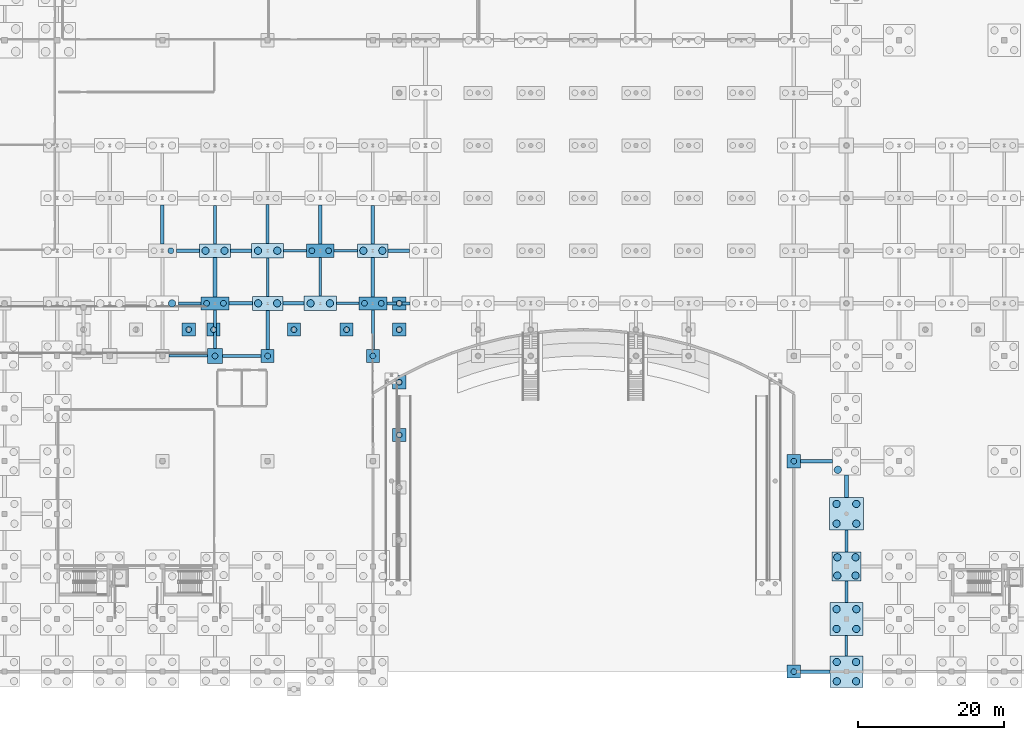
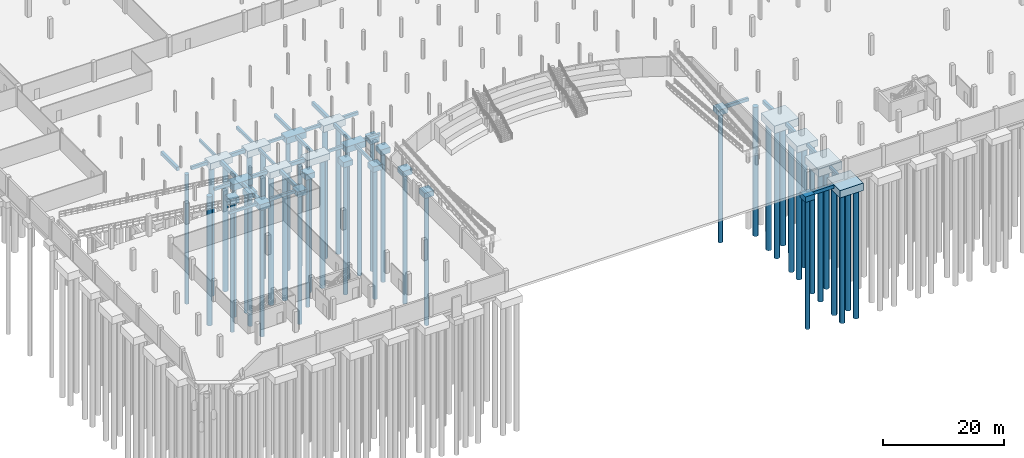
# One storey, part 4 of 56: 55 footings, 48 piles.
"""IFC4 building model written with IfcOpenShell, lengths in metres."""

from ifc_helpers import new_model, si_unit, direction, frame, origin, origin_2d, place, context, subcontext, project, spatial, rectangle, circle, extrude, material, material_profile, profile_set, type_object, element, save


model = new_model("IFC4")

# Units and contexts
model_context = context("Model", 3, precision=1e-05, world=origin(), true_north=direction((0.0, 1.0)))
body_context = subcontext(model_context, "Body", "Model", "MODEL_VIEW")
ifc_project = project(units=[si_unit("LENGTHUNIT", "METRE"), si_unit("AREAUNIT", "SQUARE_METRE"), si_unit("VOLUMEUNIT", "CUBIC_METRE"), si_unit("PLANEANGLEUNIT", "RADIAN"), si_unit("MASSUNIT", "GRAM", prefix="KILO")], contexts=[model_context])

# Site, building, storey
site_placement = place(None, origin())
site = spatial("IfcSite", under=ifc_project, at=site_placement, CompositionType="ELEMENT")
building_placement = place(site_placement, origin())
building = spatial("IfcBuilding", under=site, at=building_placement, Name="Suanplinth Sawtooth Commons", CompositionType="ELEMENT")
storey_placement = place(building_placement, frame((0.0, 0.0, -4.199951171875)))
storey = spatial("IfcBuildingStorey", under=building, at=storey_placement, Name="B1", CompositionType="ELEMENT", Elevation=-4.199951171875)

# Footings
ifc_material_1 = material(Name="Concrete C35/45", Category="concrete")
ifc_material_profile_1 = material_profile(ifc_material_1, rectangle(XDim=0.449951171875, YDim=0.64990234375, at=origin_2d()), Name="PC-GDR 450x650")
ifc_profile_set_1 = profile_set([ifc_material_profile_1], Name="Concrete C35/45")
footing_type_1 = type_object("IfcFootingType", Name="FB-01", PredefinedType="FOOTING_BEAM", material=ifc_profile_set_1)
footing_1_placement = place(storey_placement, frame((30.699951171875, 57.60009765625, -0.824951171875), z_axis=(1.0, 0.0, 0.0), x_axis=(0.0, 1.0, 0.0)))
element("IfcFooting", 1, at=footing_1_placement, inside=storey, type_object=footing_type_1, Name="Foundation Tie Beam 5-6/J", PredefinedType="FOOTING_BEAM", context=body_context, shape_type="SweptSolid", body=[
    extrude(rectangle(XDim=0.449951171875, YDim=0.64990234375, at=origin_2d()), origin(), (0.0, 0.0, 1.0), 3.199951171875),
])
footing_2_placement = place(storey_placement, frame((36.0, 44.199951171875, -0.824951171875), z_axis=(0.0, 1.0, 0.0), x_axis=(-1.0, 0.0, 0.0)))
element("IfcFooting", 2, at=footing_2_placement, inside=storey, type_object=footing_type_1, Name="Foundation Tie Beam 6/G-H", PredefinedType="FOOTING_BEAM", context=body_context, shape_type="SweptSolid", body=[
    extrude(rectangle(XDim=0.449951171875, YDim=0.64990234375, at=origin_2d()), origin(), (0.0, 0.0, 1.0), 5.300048828125),
])
footing_3_placement = place(storey_placement, frame((37.89990234375, 50.39990234375, -0.824951171875), z_axis=(1.0, 0.0, 0.0), x_axis=(0.0, 1.0, 0.0)))
element("IfcFooting", 3, at=footing_3_placement, inside=storey, type_object=footing_type_1, Name="Foundation Tie Beam 6-7/H", PredefinedType="FOOTING_BEAM", context=body_context, shape_type="SweptSolid", body=[
    extrude(rectangle(XDim=0.449951171875, YDim=0.64990234375, at=origin_2d()), origin(), (0.0, 0.0, 1.0), 3.2001953125),
])
footing_4_placement = place(storey_placement, frame((50.39990234375, 58.5, -0.824951171875), z_axis=(0.0, 1.0, 0.0), x_axis=(-1.0, 0.0, 0.0)))
element("IfcFooting", 4, at=footing_4_placement, inside=storey, type_object=footing_type_1, Name="Foundation Tie Beam 8/J-K", PredefinedType="FOOTING_BEAM", context=body_context, shape_type="SweptSolid", body=[
    extrude(rectangle(XDim=0.449951171875, YDim=0.64990234375, at=origin_2d()), origin(), (0.0, 0.0, 1.0), 5.35009765625),
])
footing_5_placement = place(storey_placement, frame((57.60009765625, 51.300048828125, -0.824951171875), z_axis=(0.0, 1.0, 0.0), x_axis=(-1.0, 0.0, 0.0)))
element("IfcFooting", 5, at=footing_5_placement, inside=storey, type_object=footing_type_1, Name="Foundation Tie Beam 9/H-J", PredefinedType="FOOTING_BEAM", context=body_context, shape_type="SweptSolid", body=[
    extrude(rectangle(XDim=0.449951171875, YDim=0.64990234375, at=origin_2d()), origin(), (0.0, 0.0, 1.0), 5.349853515625),
])
footing_6_placement = place(storey_placement, frame((59.699951171875, 57.60009765625, -0.824951171875), z_axis=(1.0, 0.0, 0.0), x_axis=(0.0, 1.0, 0.0)))
element("IfcFooting", 6, at=footing_6_placement, inside=storey, type_object=footing_type_1, Name="Foundation Tie Beam 9-10/J", PredefinedType="FOOTING_BEAM", context=body_context, shape_type="SweptSolid", body=[
    extrude(rectangle(XDim=0.449951171875, YDim=0.64990234375, at=origin_2d()), origin(), (0.0, 0.0, 1.0), 2.900146484375),
])
footing_7_placement = place(storey_placement, frame((116.10009765625, 0.0, -0.824951171875), z_axis=(1.0, 0.0, 0.0), x_axis=(0.0, 1.0, 0.0)))
element("IfcFooting", 7, at=footing_7_placement, inside=storey, type_object=footing_type_1, Name="Foundation Tie Beam 17-18/A", PredefinedType="FOOTING_BEAM", context=body_context, shape_type="SweptSolid", body=[
    extrude(rectangle(XDim=0.449951171875, YDim=0.64990234375, at=origin_2d()), origin(), (0.0, 0.0, 1.0), 4.0498046875),
])
footing_8_placement = place(storey_placement, frame((116.10009765625, 28.800048828125, -0.824951171875), z_axis=(1.0, 0.0, 0.0), x_axis=(0.0, 1.0, 0.0)))
element("IfcFooting", 8, at=footing_8_placement, inside=storey, type_object=footing_type_1, Name="Foundation Tie Beam 17-18/E", PredefinedType="FOOTING_BEAM", context=body_context, shape_type="SweptSolid", body=[
    extrude(rectangle(XDim=0.449951171875, YDim=0.64990234375, at=origin_2d()), origin(), (0.0, 0.0, 1.0), 4.39990234375),
])
footing_9_placement = place(storey_placement, frame((122.39990234375, 16.375, -0.824951171875), z_axis=(0.0, 1.0, 0.0), x_axis=(-1.0, 0.0, 0.0)))
element("IfcFooting", 9, at=footing_9_placement, inside=storey, type_object=footing_type_1, Name="Foundation Tie Beam 18/C-D", PredefinedType="FOOTING_BEAM", context=body_context, shape_type="SweptSolid", body=[
    extrude(rectangle(XDim=0.449951171875, YDim=0.64990234375, at=origin_2d()), origin(), (0.0, 0.0, 1.0), 3.0),
])
ifc_material_profile_2 = material_profile(ifc_material_1, rectangle(XDim=0.5, YDim=0.75, at=origin_2d()), Name="RC-GDR 500x750")
ifc_profile_set_2 = profile_set([ifc_material_profile_2], Name="Concrete C35/45")
footing_type_2 = type_object("IfcFootingType", Name="FB-02", PredefinedType="FOOTING_BEAM", material=ifc_profile_set_2)
footing_10_placement = place(storey_placement, frame((28.800048828125, 58.5, -0.875), z_axis=(0.0, 1.0, 0.0), x_axis=(-1.0, 0.0, 0.0)))
element("IfcFooting", 10, at=footing_10_placement, inside=storey, type_object=footing_type_2, Name="Foundation Tie Beam 5/J-K", PredefinedType="FOOTING_BEAM", context=body_context, shape_type="SweptSolid", body=[
    extrude(rectangle(XDim=0.5, YDim=0.75, at=origin_2d()), origin(), (0.0, 0.0, 1.0), 5.35009765625),
])
footing_11_placement = place(storey_placement, frame((36.0, 51.300048828125, -0.875), z_axis=(0.0, 1.0, 0.0), x_axis=(-1.0, 0.0, 0.0)))
element("IfcFooting", 11, at=footing_11_placement, inside=storey, type_object=footing_type_2, Name="Foundation Tie Beam 6/H-J", PredefinedType="FOOTING_BEAM", context=body_context, shape_type="SweptSolid", body=[
    extrude(rectangle(XDim=0.5, YDim=0.75, at=origin_2d()), origin(), (0.0, 0.0, 1.0), 5.349853515625),
])
footing_12_placement = place(storey_placement, frame((38.10009765625, 57.60009765625, -0.875), z_axis=(1.0, 0.0, 0.0), x_axis=(0.0, 1.0, 0.0)))
element("IfcFooting", 12, at=footing_12_placement, inside=storey, type_object=footing_type_2, Name="Foundation Tie Beam 6-7/J", PredefinedType="FOOTING_BEAM", context=body_context, shape_type="SweptSolid", body=[
    extrude(rectangle(XDim=0.5, YDim=0.75, at=origin_2d()), origin(), (0.0, 0.0, 1.0), 2.89990234375),
])
footing_13_placement = place(storey_placement, frame((43.199951171875, 44.10009765625, -0.875), z_axis=(0.0, 1.0, 0.0), x_axis=(-1.0, 0.0, 0.0)))
element("IfcFooting", 13, at=footing_13_placement, inside=storey, type_object=footing_type_2, Name="Foundation Tie Beam 7/G-H", PredefinedType="FOOTING_BEAM", context=body_context, shape_type="SweptSolid", body=[
    extrude(rectangle(XDim=0.5, YDim=0.75, at=origin_2d()), origin(), (0.0, 0.0, 1.0), 5.349853515625),
])
footing_14_placement = place(storey_placement, frame((45.300048828125, 50.39990234375, -0.875), z_axis=(1.0, 0.0, 0.0), x_axis=(0.0, 1.0, 0.0)))
element("IfcFooting", 14, at=footing_14_placement, inside=storey, type_object=footing_type_2, Name="Foundation Tie Beam 7-8/H", PredefinedType="FOOTING_BEAM", context=body_context, shape_type="SweptSolid", body=[
    extrude(rectangle(XDim=0.5, YDim=0.75, at=origin_2d()), origin(), (0.0, 0.0, 1.0), 2.89990234375),
])
footing_15_placement = place(storey_placement, frame((57.60009765625, 58.550048828125, -0.875), z_axis=(0.0, 1.0, 0.0), x_axis=(-1.0, 0.0, 0.0)))
element("IfcFooting", 15, at=footing_15_placement, inside=storey, type_object=footing_type_2, Name="Foundation Tie Beam 9/J-K", PredefinedType="FOOTING_BEAM", context=body_context, shape_type="SweptSolid", body=[
    extrude(rectangle(XDim=0.5, YDim=0.75, at=origin_2d()), origin(), (0.0, 0.0, 1.0), 5.25),
])
footing_16_placement = place(storey_placement, frame((122.39990234375, 23.824951171875, -0.875), z_axis=(0.0, 1.0, 0.0), x_axis=(-1.0, 0.0, 0.0)))
element("IfcFooting", 16, at=footing_16_placement, inside=storey, type_object=footing_type_2, Name="Foundation Tie Beam 18/D-E", PredefinedType="FOOTING_BEAM", context=body_context, shape_type="SweptSolid", body=[
    extrude(rectangle(XDim=0.5, YDim=0.75, at=origin_2d()), origin(), (0.0, 0.0, 1.0), 3.074951171875),
])
ifc_material_profile_3 = material_profile(ifc_material_1, rectangle(XDim=0.35009765625, YDim=0.550048828125, at=origin_2d()), Name="PC-BM 350x550")
ifc_profile_set_3 = profile_set([ifc_material_profile_3], Name="Concrete C35/45")
footing_type_3 = type_object("IfcFootingType", Name="FB-03", PredefinedType="FOOTING_BEAM", material=ifc_profile_set_3)
footing_17_placement = place(storey_placement, frame((29.699951171875, 43.199951171875, -0.775146484375), z_axis=(1.0, 0.0, 0.0), x_axis=(0.0, 1.0, 0.0)))
element("IfcFooting", 17, at=footing_17_placement, inside=storey, type_object=footing_type_3, Name="Foundation Tie Beam 5-6/G", PredefinedType="FOOTING_BEAM", context=body_context, shape_type="SweptSolid", body=[
    extrude(rectangle(XDim=0.35009765625, YDim=0.550048828125, at=origin_2d()), origin(), (0.0, 0.0, 1.0), 5.300048828125),
])
for number, where, z_axis, x_axis, name in (
    (18, (36.0, 58.550048828125, -0.775146484375), (0.0, 1.0, 0.0), (-1.0, 0.0, 0.0), "Foundation Tie Beam 6/J-K"),
    (19, (43.199951171875, 51.35009765625, -0.775146484375), (0.0, 1.0, 0.0), (-1.0, 0.0, 0.0), "Foundation Tie Beam 7/H-J"),
):
    element("IfcFooting", number, at=place(storey_placement, frame(where, z_axis=z_axis, x_axis=x_axis)), inside=storey, type_object=footing_type_3, Name=name, PredefinedType="FOOTING_BEAM", context=body_context, shape_type="SweptSolid", body=[
        extrude(rectangle(XDim=0.35009765625, YDim=0.550048828125, at=origin_2d()), origin(), (0.0, 0.0, 1.0), 5.25),
    ])
footing_18_placement = place(storey_placement, frame((45.39990234375, 57.60009765625, -0.775146484375), z_axis=(1.0, 0.0, 0.0), x_axis=(0.0, 1.0, 0.0)))
element("IfcFooting", 20, at=footing_18_placement, inside=storey, type_object=footing_type_3, Name="Foundation Tie Beam 7-8/J", PredefinedType="FOOTING_BEAM", context=body_context, shape_type="SweptSolid", body=[
    extrude(rectangle(XDim=0.35009765625, YDim=0.550048828125, at=origin_2d()), origin(), (0.0, 0.0, 1.0), 3.10009765625),
])
footing_19_placement = place(storey_placement, frame((52.60009765625, 50.39990234375, -0.775146484375), z_axis=(1.0, 0.0, 0.0), x_axis=(0.0, 1.0, 0.0)))
element("IfcFooting", 21, at=footing_19_placement, inside=storey, type_object=footing_type_3, Name="Foundation Tie Beam 8-9/H", PredefinedType="FOOTING_BEAM", context=body_context, shape_type="SweptSolid", body=[
    extrude(rectangle(XDim=0.35009765625, YDim=0.550048828125, at=origin_2d()), origin(), (0.0, 0.0, 1.0), 3.099853515625),
])
footing_20_placement = place(storey_placement, frame((122.39990234375, 2.14990234375, -0.775146484375), z_axis=(0.0, 1.0, 0.0), x_axis=(-1.0, 0.0, 0.0)))
element("IfcFooting", 22, at=footing_20_placement, inside=storey, type_object=footing_type_3, Name="Foundation Tie Beam 18/A-B", PredefinedType="FOOTING_BEAM", context=body_context, shape_type="SweptSolid", body=[
    extrude(rectangle(XDim=0.35009765625, YDim=0.550048828125, at=origin_2d()), origin(), (0.0, 0.0, 1.0), 2.800048828125),
])
ifc_material_profile_4 = material_profile(ifc_material_1, rectangle(XDim=0.39990234375, YDim=0.60009765625, at=origin_2d()), Name="PC-GDR 400x600")
ifc_profile_set_4 = profile_set([ifc_material_profile_4], Name="Concrete C35/45")
footing_type_4 = type_object("IfcFootingType", Name="FB-04", PredefinedType="FOOTING_BEAM", material=ifc_profile_set_4)
footing_21_placement = place(storey_placement, frame((31.0, 50.39990234375, -0.800048828125), z_axis=(1.0, 0.0, 0.0), x_axis=(0.0, 1.0, 0.0)))
element("IfcFooting", 23, at=footing_21_placement, inside=storey, type_object=footing_type_4, Name="Foundation Tie Beam 5-6/H", PredefinedType="FOOTING_BEAM", context=body_context, shape_type="SweptSolid", body=[
    extrude(rectangle(XDim=0.39990234375, YDim=0.60009765625, at=origin_2d()), origin(), (0.0, 0.0, 1.0), 3.10009765625),
])
footing_22_placement = place(storey_placement, frame((37.0, 43.199951171875, -0.800048828125), z_axis=(1.0, 0.0, 0.0), x_axis=(0.0, 1.0, 0.0)))
element("IfcFooting", 24, at=footing_22_placement, inside=storey, type_object=footing_type_4, Name="Foundation Tie Beam 6-7/G", PredefinedType="FOOTING_BEAM", context=body_context, shape_type="SweptSolid", body=[
    extrude(rectangle(XDim=0.39990234375, YDim=0.60009765625, at=origin_2d()), origin(), (0.0, 0.0, 1.0), 5.300048828125),
])
footing_23_placement = place(storey_placement, frame((43.199951171875, 58.60009765625, -0.800048828125), z_axis=(0.0, 1.0, 0.0), x_axis=(-1.0, 0.0, 0.0)))
element("IfcFooting", 25, at=footing_23_placement, inside=storey, type_object=footing_type_4, Name="Foundation Tie Beam 7/J-K", PredefinedType="FOOTING_BEAM", context=body_context, shape_type="SweptSolid", body=[
    extrude(rectangle(XDim=0.39990234375, YDim=0.60009765625, at=origin_2d()), origin(), (0.0, 0.0, 1.0), 5.2998046875),
])
footing_24_placement = place(storey_placement, frame((50.39990234375, 51.39990234375, -0.800048828125), z_axis=(0.0, 1.0, 0.0), x_axis=(-1.0, 0.0, 0.0)))
element("IfcFooting", 26, at=footing_24_placement, inside=storey, type_object=footing_type_4, Name="Foundation Tie Beam 8/H-J", PredefinedType="FOOTING_BEAM", context=body_context, shape_type="SweptSolid", body=[
    extrude(rectangle(XDim=0.39990234375, YDim=0.60009765625, at=origin_2d()), origin(), (0.0, 0.0, 1.0), 5.300048828125),
])
footing_25_placement = place(storey_placement, frame((52.300048828125, 57.60009765625, -0.800048828125), z_axis=(1.0, 0.0, 0.0), x_axis=(0.0, 1.0, 0.0)))
element("IfcFooting", 27, at=footing_25_placement, inside=storey, type_object=footing_type_4, Name="Foundation Tie Beam 8-9/J", PredefinedType="FOOTING_BEAM", context=body_context, shape_type="SweptSolid", body=[
    extrude(rectangle(XDim=0.39990234375, YDim=0.60009765625, at=origin_2d()), origin(), (0.0, 0.0, 1.0), 3.199951171875),
])
footing_26_placement = place(storey_placement, frame((57.60009765625, 44.10009765625, -0.800048828125), z_axis=(0.0, 1.0, 0.0), x_axis=(-1.0, 0.0, 0.0)))
element("IfcFooting", 28, at=footing_26_placement, inside=storey, type_object=footing_type_4, Name="Foundation Tie Beam 9/G-H", PredefinedType="FOOTING_BEAM", context=body_context, shape_type="SweptSolid", body=[
    extrude(rectangle(XDim=0.39990234375, YDim=0.60009765625, at=origin_2d()), origin(), (0.0, 0.0, 1.0), 5.39990234375),
])
footing_27_placement = place(storey_placement, frame((59.5, 50.39990234375, -0.800048828125), z_axis=(1.0, 0.0, 0.0), x_axis=(0.0, 1.0, 0.0)))
element("IfcFooting", 29, at=footing_27_placement, inside=storey, type_object=footing_type_4, Name="Foundation Tie Beam 9-10/H", PredefinedType="FOOTING_BEAM", context=body_context, shape_type="SweptSolid", body=[
    extrude(rectangle(XDim=0.39990234375, YDim=0.60009765625, at=origin_2d()), origin(), (0.0, 0.0, 1.0), 3.199951171875),
])
footing_28_placement = place(storey_placement, frame((122.39990234375, 9.449951171875, -0.800048828125), z_axis=(0.0, 1.0, 0.0), x_axis=(-1.0, 0.0, 0.0)))
element("IfcFooting", 30, at=footing_28_placement, inside=storey, type_object=footing_type_4, Name="Foundation Tie Beam 18/B-C", PredefinedType="FOOTING_BEAM", context=body_context, shape_type="SweptSolid", body=[
    extrude(rectangle(XDim=0.39990234375, YDim=0.60009765625, at=origin_2d()), origin(), (0.0, 0.0, 1.0), 2.97509765625),
])
footing_type_5 = type_object("IfcFootingType", Name="FC-01", PredefinedType="PILE_CAP", material=ifc_material_1)
for number, where, z_axis, x_axis, name in (
    (31, (43.199951171875, 43.199951171875, -1.60009765625), (0.0, 0.0, 1.0), (1.0, 0.0, 0.0), "Pile Cap 7/G"),
    (32, (57.60009765625, 43.199951171875, -1.60009765625), (0.0, 0.0, 1.0), (1.0, 0.0, 0.0), "Pile Cap 9/G"),
    (33, (115.199951171875, 0.0, -1.60009765625), (0.0, 0.0, 1.0), (1.0, 0.0, 0.0), "Pile Cap 17/A"),
    (34, (115.199951171875, 28.800048828125, -1.60009765625), (0.0, 0.0, 1.0), (1.0, 0.0, 0.0), "Pile Cap 17/E"),
    (35, (32.39990234375, 46.800048828125, -1.60009765625), (0.0, 0.0, 1.0), (1.0, 0.0, 0.0), "Veranda Pilaster Cap P3"),
    (36, (35.800048828125, 46.800048828125, -1.60009765625), (0.0, 0.0, 1.0), (1.0, 0.0, 0.0), "Veranda Pilaster Cap P4"),
    (37, (46.800048828125, 46.800048828125, -1.60009765625), (0.0, 0.0, 1.0), (1.0, 0.0, 0.0), "Veranda Pilaster Cap P5"),
    (38, (54.0, 46.800048828125, -1.60009765625), (0.0, 0.0, 1.0), (1.0, 0.0, 0.0), "Veranda Pilaster Cap P6"),
    (39, (61.199951171875, 32.39990234375, -1.60009765625), (0.0, 0.0, 1.0), (1.0, 0.0, 0.0), "West Breezeway Cap W3"),
    (40, (61.199951171875, 39.60009765625, -1.60009765625), (0.0, 0.0, 1.0), (1.0, 0.0, 0.0), "West Breezeway Cap W4"),
    (41, (61.199951171875, 46.800048828125, -1.60009765625), (0.0, 0.0, 1.0), (1.0, 0.0, 0.0), "West Breezeway Cap W5"),
    (42, (61.199951171875, 50.39990234375, -1.60009765625), (0.0, 0.0, 1.0), (1.0, 0.0, 0.0), "West Breezeway Cap W6"),
):
    element("IfcFooting", number, at=place(storey_placement, frame(where, z_axis=z_axis, x_axis=x_axis)), inside=storey, type_object=footing_type_5, Name=name, PredefinedType="PILE_CAP", context=body_context, shape_type="SweptSolid", body=[
        extrude(rectangle(XDim=1.800048828125, YDim=1.800048828125, at=origin_2d()), origin(), (0.0, 0.0, 1.0), 1.10009765625),
    ])
footing_type_6 = type_object("IfcFootingType", Name="FC-02", PredefinedType="PILE_CAP", material=ifc_material_1)
footing_29_placement = place(storey_placement, frame((36.0, 43.199951171875, -1.7001953125), z_axis=(0.0, 0.0, 1.0), x_axis=(1.0, 0.0, 0.0)))
element("IfcFooting", 43, at=footing_29_placement, inside=storey, type_object=footing_type_6, Name="Pile Cap 6/G", PredefinedType="PILE_CAP", context=body_context, shape_type="SweptSolid", body=[
    extrude(rectangle(XDim=2.0, YDim=2.0, at=origin_2d()), origin(), (0.0, 0.0, 1.0), 1.199951171875),
])
footing_type_7 = type_object("IfcFootingType", Name="FC-03", PredefinedType="PILE_CAP", material=ifc_material_1)
for number, where, z_axis, x_axis, name in (
    (44, (36.0, 50.39990234375, -1.75), (0.0, 0.0, 1.0), (1.0, 0.0, 0.0), "Pile Cap 6/H"),
    (45, (50.39990234375, 57.60009765625, -1.75), (0.0, 0.0, 1.0), (1.0, 0.0, 0.0), "Pile Cap 8/J"),
    (46, (57.60009765625, 50.39990234375, -1.75), (0.0, 0.0, 1.0), (1.0, 0.0, 0.0), "Pile Cap 9/H"),
):
    element("IfcFooting", number, at=place(storey_placement, frame(where, z_axis=z_axis, x_axis=x_axis)), inside=storey, type_object=footing_type_7, Name=name, PredefinedType="PILE_CAP", context=body_context, shape_type="SweptSolid", body=[
        extrude(rectangle(XDim=3.800048828125, YDim=1.800048828125, at=origin_2d()), origin(), (0.0, 0.0, 1.0), 1.25),
    ])
footing_type_8 = type_object("IfcFootingType", Name="FC-04", PredefinedType="PILE_CAP", material=ifc_material_1)
for number, where, z_axis, x_axis, name in (
    (47, (36.0, 57.60009765625, -1.80029296875), (0.0, 0.0, 1.0), (1.0, 0.0, 0.0), "Pile Cap 6/J"),
    (48, (43.199951171875, 50.39990234375, -1.80029296875), (0.0, 0.0, 1.0), (1.0, 0.0, 0.0), "Pile Cap 7/H"),
    (49, (57.60009765625, 57.60009765625, -1.80029296875), (0.0, 0.0, 1.0), (1.0, 0.0, 0.0), "Pile Cap 9/J"),
):
    element("IfcFooting", number, at=place(storey_placement, frame(where, z_axis=z_axis, x_axis=x_axis)), inside=storey, type_object=footing_type_8, Name=name, PredefinedType="PILE_CAP", context=body_context, shape_type="SweptSolid", body=[
        extrude(rectangle(XDim=4.199951171875, YDim=1.89990234375, at=origin_2d()), origin(), (0.0, 0.0, 1.0), 1.300048828125),
    ])
footing_type_9 = type_object("IfcFootingType", Name="FC-05", PredefinedType="PILE_CAP", material=ifc_material_1)
for number, where, z_axis, x_axis, name in (
    (50, (43.199951171875, 57.60009765625, -1.85009765625), (0.0, 0.0, 1.0), (1.0, 0.0, 0.0), "Pile Cap 7/J"),
    (51, (50.39990234375, 50.39990234375, -1.85009765625), (0.0, 0.0, 1.0), (1.0, 0.0, 0.0), "Pile Cap 8/H"),
):
    element("IfcFooting", number, at=place(storey_placement, frame(where, z_axis=z_axis, x_axis=x_axis)), inside=storey, type_object=footing_type_9, Name=name, PredefinedType="PILE_CAP", context=body_context, shape_type="SweptSolid", body=[
        extrude(rectangle(XDim=4.39990234375, YDim=2.0, at=origin_2d()), origin(), (0.0, 0.0, 1.0), 1.35009765625),
    ])
footing_type_10 = type_object("IfcFootingType", Name="FC-09", PredefinedType="PILE_CAP", material=ifc_material_1)
footing_30_placement = place(storey_placement, frame((122.39990234375, 0.0, -2.0), z_axis=(0.0, 0.0, 1.0), x_axis=(1.0, 0.0, 0.0)))
element("IfcFooting", 52, at=footing_30_placement, inside=storey, type_object=footing_type_10, Name="Pile Cap 18/A", PredefinedType="PILE_CAP", context=body_context, shape_type="SweptSolid", body=[
    extrude(rectangle(XDim=4.5, YDim=4.300048828125, at=origin_2d()), origin(), (0.0, 0.0, 1.0), 1.5),
])
footing_type_11 = type_object("IfcFootingType", Name="FC-10", PredefinedType="PILE_CAP", material=ifc_material_1)
footing_31_placement = place(storey_placement, frame((122.39990234375, 7.199951171875, -2.05029296875), z_axis=(0.0, 0.0, 1.0), x_axis=(1.0, 0.0, 0.0)))
element("IfcFooting", 53, at=footing_31_placement, inside=storey, type_object=footing_type_11, Name="Pile Cap 18/B", PredefinedType="PILE_CAP", context=body_context, shape_type="SweptSolid", body=[
    extrude(rectangle(XDim=4.5, YDim=4.5, at=origin_2d()), origin(), (0.0, 0.0, 1.0), 1.550048828125),
])
footing_type_12 = type_object("IfcFootingType", Name="FC-15", PredefinedType="PILE_CAP", material=ifc_material_1)
footing_32_placement = place(storey_placement, frame((122.39990234375, 14.39990234375, -1.8203125), z_axis=(0.0, 0.0, 1.0), x_axis=(1.0, 0.0, 0.0)))
element("IfcFooting", 54, at=footing_32_placement, inside=storey, type_object=footing_type_12, Name="Pile Cap 18/C", PredefinedType="PILE_CAP", context=body_context, shape_type="SweptSolid", body=[
    extrude(rectangle(XDim=3.949951171875, YDim=3.949951171875, at=origin_2d()), origin(), (0.0, 0.0, 1.0), 1.320068359375),
])
footing_type_13 = type_object("IfcFootingType", Name="FC-16", PredefinedType="PILE_CAP", material=ifc_material_1)
footing_33_placement = place(storey_placement, frame((122.39990234375, 21.60009765625, -2.02001953125), z_axis=(0.0, 0.0, 1.0), x_axis=(1.0, 0.0, 0.0)))
element("IfcFooting", 55, at=footing_33_placement, inside=storey, type_object=footing_type_13, Name="Pile Cap 18/D", PredefinedType="PILE_CAP", context=body_context, shape_type="SweptSolid", body=[
    extrude(rectangle(XDim=4.64990234375, YDim=4.449951171875, at=origin_2d()), origin(), (0.0, 0.0, 1.0), 1.52001953125),
])

# Piles
ifc_material_2 = material(Name="Concrete C32/40", Category="concrete")
ifc_material_profile_5 = material_profile(ifc_material_2, circle(Radius=0.39990234375, at=origin_2d()), Name="PILE D800")
ifc_profile_set_5 = profile_set([ifc_material_profile_5], Name="Concrete C32/40")
pile_type_1 = type_object("IfcPileType", Name="P-01", PredefinedType="BORED", material=ifc_profile_set_5)
pile_1_placement = place(storey_placement, frame((29.949951171875, 57.60009765625, -1.650146484375), z_axis=(0.0, 0.0, -1.0), x_axis=(1.0, 0.0, 0.0)))
element("IfcPile", 56, at=pile_1_placement, inside=storey, type_object=pile_type_1, Name="Bored Pile 5/J-2", PredefinedType="BORED", context=body_context, shape_type="SweptSolid", body=[
    extrude(circle(Radius=0.39990234375, at=origin_2d()), origin(), (0.0, 0.0, 1.0), 26.14990234375),
])
pile_2_placement = place(storey_placement, frame((36.0, 43.199951171875, -1.60009765625), z_axis=(0.0, 0.0, -1.0), x_axis=(1.0, 0.0, 0.0)))
element("IfcPile", 57, at=pile_2_placement, inside=storey, type_object=pile_type_1, Name="Bored Pile 6/G-1", PredefinedType="BORED", context=body_context, shape_type="SweptSolid", body=[
    extrude(circle(Radius=0.39990234375, at=origin_2d()), origin(), (0.0, 0.0, 1.0), 26.199951171875),
])
for number, where, z_axis, x_axis, name in (
    (58, (34.85009765625, 50.39990234375, -1.650146484375), (0.0, 0.0, -1.0), (1.0, 0.0, 0.0), "Bored Pile 6/H-1"),
    (59, (37.14990234375, 50.39990234375, -1.650146484375), (0.0, 0.0, -1.0), (1.0, 0.0, 0.0), "Bored Pile 6/H-2"),
):
    element("IfcPile", number, at=place(storey_placement, frame(where, z_axis=z_axis, x_axis=x_axis)), inside=storey, type_object=pile_type_1, Name=name, PredefinedType="BORED", context=body_context, shape_type="SweptSolid", body=[
        extrude(circle(Radius=0.39990234375, at=origin_2d()), origin(), (0.0, 0.0, 1.0), 26.14990234375),
    ])
pile_3_placement = place(storey_placement, frame((43.199951171875, 43.199951171875, -1.5), z_axis=(0.0, 0.0, -1.0), x_axis=(1.0, 0.0, 0.0)))
element("IfcPile", 60, at=pile_3_placement, inside=storey, type_object=pile_type_1, Name="Bored Pile 7/G-1", PredefinedType="BORED", context=body_context, shape_type="SweptSolid", body=[
    extrude(circle(Radius=0.39990234375, at=origin_2d()), origin(), (0.0, 0.0, 1.0), 26.300048828125),
])
for number, where, z_axis, x_axis, name in (
    (61, (49.25, 57.60009765625, -1.650146484375), (0.0, 0.0, -1.0), (1.0, 0.0, 0.0), "Bored Pile 8/J-1"),
    (62, (51.550048828125, 57.60009765625, -1.650146484375), (0.0, 0.0, -1.0), (1.0, 0.0, 0.0), "Bored Pile 8/J-2"),
):
    element("IfcPile", number, at=place(storey_placement, frame(where, z_axis=z_axis, x_axis=x_axis)), inside=storey, type_object=pile_type_1, Name=name, PredefinedType="BORED", context=body_context, shape_type="SweptSolid", body=[
        extrude(circle(Radius=0.39990234375, at=origin_2d()), origin(), (0.0, 0.0, 1.0), 26.14990234375),
    ])
pile_4_placement = place(storey_placement, frame((57.60009765625, 43.199951171875, -1.5), z_axis=(0.0, 0.0, -1.0), x_axis=(1.0, 0.0, 0.0)))
element("IfcPile", 63, at=pile_4_placement, inside=storey, type_object=pile_type_1, Name="Bored Pile 9/G-1", PredefinedType="BORED", context=body_context, shape_type="SweptSolid", body=[
    extrude(circle(Radius=0.39990234375, at=origin_2d()), origin(), (0.0, 0.0, 1.0), 26.300048828125),
])
for number, where, z_axis, x_axis, name in (
    (64, (56.449951171875, 50.39990234375, -1.650146484375), (0.0, 0.0, -1.0), (1.0, 0.0, 0.0), "Bored Pile 9/H-1"),
    (65, (58.75, 50.39990234375, -1.650146484375), (0.0, 0.0, -1.0), (1.0, 0.0, 0.0), "Bored Pile 9/H-2"),
):
    element("IfcPile", number, at=place(storey_placement, frame(where, z_axis=z_axis, x_axis=x_axis)), inside=storey, type_object=pile_type_1, Name=name, PredefinedType="BORED", context=body_context, shape_type="SweptSolid", body=[
        extrude(circle(Radius=0.39990234375, at=origin_2d()), origin(), (0.0, 0.0, 1.0), 26.14990234375),
    ])
for number, where, z_axis, x_axis, name in (
    (66, (115.199951171875, 0.0, -1.5), (0.0, 0.0, -1.0), (1.0, 0.0, 0.0), "Bored Pile 17/A-1"),
    (67, (115.199951171875, 28.800048828125, -1.5), (0.0, 0.0, -1.0), (1.0, 0.0, 0.0), "Bored Pile 17/E-1"),
    (68, (32.39990234375, 46.800048828125, -1.5), (0.0, 0.0, -1.0), (1.0, 0.0, 0.0), "Veranda Pilaster Pile P3"),
    (69, (35.800048828125, 46.800048828125, -1.5), (0.0, 0.0, -1.0), (1.0, 0.0, 0.0), "Veranda Pilaster Pile P4"),
    (70, (46.800048828125, 46.800048828125, -1.5), (0.0, 0.0, -1.0), (1.0, 0.0, 0.0), "Veranda Pilaster Pile P5"),
    (71, (54.0, 46.800048828125, -1.5), (0.0, 0.0, -1.0), (1.0, 0.0, 0.0), "Veranda Pilaster Pile P6"),
    (72, (61.199951171875, 32.39990234375, -1.5), (0.0, 0.0, -1.0), (1.0, 0.0, 0.0), "West Breezeway Pile W3"),
    (73, (61.199951171875, 39.60009765625, -1.5), (0.0, 0.0, -1.0), (1.0, 0.0, 0.0), "West Breezeway Pile W4"),
    (74, (61.199951171875, 46.800048828125, -1.5), (0.0, 0.0, -1.0), (1.0, 0.0, 0.0), "West Breezeway Pile W5"),
    (75, (61.199951171875, 50.39990234375, -1.5), (0.0, 0.0, -1.0), (1.0, 0.0, 0.0), "West Breezeway Pile W6"),
):
    element("IfcPile", number, at=place(storey_placement, frame(where, z_axis=z_axis, x_axis=x_axis)), inside=storey, type_object=pile_type_1, Name=name, PredefinedType="BORED", context=body_context, shape_type="SweptSolid", body=[
        extrude(circle(Radius=0.39990234375, at=origin_2d()), origin(), (0.0, 0.0, 1.0), 26.300048828125),
    ])
ifc_material_profile_6 = material_profile(ifc_material_2, circle(Radius=0.5, at=origin_2d()), Name="PILE D1000")
ifc_profile_set_6 = profile_set([ifc_material_profile_6], Name="Concrete C32/40")
pile_type_2 = type_object("IfcPileType", Name="P-02", PredefinedType="BORED", material=ifc_profile_set_6)
pile_5_placement = place(storey_placement, frame((30.1201171875, 50.39990234375, -1.75), z_axis=(0.0, 0.0, -1.0), x_axis=(1.0, 0.0, 0.0)))
element("IfcPile", 76, at=pile_5_placement, inside=storey, type_object=pile_type_2, Name="Bored Pile 5/H-2", PredefinedType="BORED", context=body_context, shape_type="SweptSolid", body=[
    extrude(circle(Radius=0.5, at=origin_2d()), origin(), (0.0, 0.0, 1.0), 26.050048828125),
])
for number, where, z_axis, x_axis, name in (
    (77, (34.699951171875, 57.60009765625, -1.699951171875), (0.0, 0.0, -1.0), (1.0, 0.0, 0.0), "Bored Pile 6/J-1"),
    (78, (37.300048828125, 57.60009765625, -1.699951171875), (0.0, 0.0, -1.0), (1.0, 0.0, 0.0), "Bored Pile 6/J-2"),
    (79, (41.89990234375, 50.39990234375, -1.699951171875), (0.0, 0.0, -1.0), (1.0, 0.0, 0.0), "Bored Pile 7/H-1"),
    (80, (44.5, 50.39990234375, -1.699951171875), (0.0, 0.0, -1.0), (1.0, 0.0, 0.0), "Bored Pile 7/H-2"),
):
    element("IfcPile", number, at=place(storey_placement, frame(where, z_axis=z_axis, x_axis=x_axis)), inside=storey, type_object=pile_type_2, Name=name, PredefinedType="BORED", context=body_context, shape_type="SweptSolid", body=[
        extrude(circle(Radius=0.5, at=origin_2d()), origin(), (0.0, 0.0, 1.0), 26.10009765625),
    ])
for number, where, z_axis, x_axis, name in (
    (81, (41.8798828125, 57.60009765625, -1.75), (0.0, 0.0, -1.0), (1.0, 0.0, 0.0), "Bored Pile 7/J-1"),
    (82, (44.52001953125, 57.60009765625, -1.75), (0.0, 0.0, -1.0), (1.0, 0.0, 0.0), "Bored Pile 7/J-2"),
    (83, (49.080078125, 50.39990234375, -1.75), (0.0, 0.0, -1.0), (1.0, 0.0, 0.0), "Bored Pile 8/H-1"),
    (84, (51.719970703125, 50.39990234375, -1.75), (0.0, 0.0, -1.0), (1.0, 0.0, 0.0), "Bored Pile 8/H-2"),
):
    element("IfcPile", number, at=place(storey_placement, frame(where, z_axis=z_axis, x_axis=x_axis)), inside=storey, type_object=pile_type_2, Name=name, PredefinedType="BORED", context=body_context, shape_type="SweptSolid", body=[
        extrude(circle(Radius=0.5, at=origin_2d()), origin(), (0.0, 0.0, 1.0), 26.050048828125),
    ])
for number, where, z_axis, x_axis, name in (
    (85, (56.300048828125, 57.60009765625, -1.699951171875), (0.0, 0.0, -1.0), (1.0, 0.0, 0.0), "Bored Pile 9/J-1"),
    (86, (58.89990234375, 57.60009765625, -1.699951171875), (0.0, 0.0, -1.0), (1.0, 0.0, 0.0), "Bored Pile 9/J-2"),
):
    element("IfcPile", number, at=place(storey_placement, frame(where, z_axis=z_axis, x_axis=x_axis)), inside=storey, type_object=pile_type_2, Name=name, PredefinedType="BORED", context=body_context, shape_type="SweptSolid", body=[
        extrude(circle(Radius=0.5, at=origin_2d()), origin(), (0.0, 0.0, 1.0), 26.10009765625),
    ])
for number, where, z_axis, x_axis, name in (
    (87, (121.080078125, -1.320068359375, -1.900146484375), (0.0, 0.0, -1.0), (1.0, 0.0, 0.0), "Bored Pile 18/A-1"),
    (88, (123.719970703125, -1.320068359375, -1.900146484375), (0.0, 0.0, -1.0), (1.0, 0.0, 0.0), "Bored Pile 18/A-2"),
    (89, (121.080078125, 1.320068359375, -1.900146484375), (0.0, 0.0, -1.0), (1.0, 0.0, 0.0), "Bored Pile 18/A-3"),
    (90, (123.719970703125, 1.320068359375, -1.900146484375), (0.0, 0.0, -1.0), (1.0, 0.0, 0.0), "Bored Pile 18/A-4"),
):
    element("IfcPile", number, at=place(storey_placement, frame(where, z_axis=z_axis, x_axis=x_axis)), inside=storey, type_object=pile_type_2, Name=name, PredefinedType="BORED", context=body_context, shape_type="SweptSolid", body=[
        extrude(circle(Radius=0.5, at=origin_2d()), origin(), (0.0, 0.0, 1.0), 25.89990234375),
    ])
for number, where, z_axis, x_axis, name in (
    (91, (121.050048828125, 5.85009765625, -1.949951171875), (0.0, 0.0, -1.0), (1.0, 0.0, 0.0), "Bored Pile 18/B-1"),
    (92, (123.75, 5.85009765625, -1.949951171875), (0.0, 0.0, -1.0), (1.0, 0.0, 0.0), "Bored Pile 18/B-2"),
    (93, (121.050048828125, 8.550048828125, -1.949951171875), (0.0, 0.0, -1.0), (1.0, 0.0, 0.0), "Bored Pile 18/B-3"),
    (94, (123.75, 8.550048828125, -1.949951171875), (0.0, 0.0, -1.0), (1.0, 0.0, 0.0), "Bored Pile 18/B-4"),
):
    element("IfcPile", number, at=place(storey_placement, frame(where, z_axis=z_axis, x_axis=x_axis)), inside=storey, type_object=pile_type_2, Name=name, PredefinedType="BORED", context=body_context, shape_type="SweptSolid", body=[
        extrude(circle(Radius=0.5, at=origin_2d()), origin(), (0.0, 0.0, 1.0), 25.85009765625),
    ])
for number, where, z_axis, x_axis, name in (
    (95, (121.14990234375, 13.14990234375, -1.719970703125), (0.0, 0.0, -1.0), (1.0, 0.0, 0.0), "Bored Pile 18/C-1"),
    (96, (123.64990234375, 13.14990234375, -1.719970703125), (0.0, 0.0, -1.0), (1.0, 0.0, 0.0), "Bored Pile 18/C-2"),
    (97, (121.14990234375, 15.64990234375, -1.719970703125), (0.0, 0.0, -1.0), (1.0, 0.0, 0.0), "Bored Pile 18/C-3"),
    (98, (123.64990234375, 15.64990234375, -1.719970703125), (0.0, 0.0, -1.0), (1.0, 0.0, 0.0), "Bored Pile 18/C-4"),
):
    element("IfcPile", number, at=place(storey_placement, frame(where, z_axis=z_axis, x_axis=x_axis)), inside=storey, type_object=pile_type_2, Name=name, PredefinedType="BORED", context=body_context, shape_type="SweptSolid", body=[
        extrude(circle(Radius=0.5, at=origin_2d()), origin(), (0.0, 0.0, 1.0), 26.080078125),
    ])
for number, where, z_axis, x_axis, name in (
    (99, (121.050048828125, 20.25, -1.920166015625), (0.0, 0.0, -1.0), (1.0, 0.0, 0.0), "Bored Pile 18/D-1"),
    (100, (123.75, 20.25, -1.920166015625), (0.0, 0.0, -1.0), (1.0, 0.0, 0.0), "Bored Pile 18/D-2"),
    (101, (121.050048828125, 22.949951171875, -1.920166015625), (0.0, 0.0, -1.0), (1.0, 0.0, 0.0), "Bored Pile 18/D-3"),
    (102, (123.75, 22.949951171875, -1.920166015625), (0.0, 0.0, -1.0), (1.0, 0.0, 0.0), "Bored Pile 18/D-4"),
):
    element("IfcPile", number, at=place(storey_placement, frame(where, z_axis=z_axis, x_axis=x_axis)), inside=storey, type_object=pile_type_2, Name=name, PredefinedType="BORED", context=body_context, shape_type="SweptSolid", body=[
        extrude(circle(Radius=0.5, at=origin_2d()), origin(), (0.0, 0.0, 1.0), 25.8798828125),
    ])
pile_6_placement = place(storey_placement, frame((121.219970703125, 27.6201171875, -1.75), z_axis=(0.0, 0.0, -1.0), x_axis=(1.0, 0.0, 0.0)))
element("IfcPile", 103, at=pile_6_placement, inside=storey, type_object=pile_type_2, Name="Bored Pile 18/E-1", PredefinedType="BORED", context=body_context, shape_type="SweptSolid", body=[
    extrude(circle(Radius=0.5, at=origin_2d()), origin(), (0.0, 0.0, 1.0), 26.050048828125),
])

save(model, "model.ifc")
